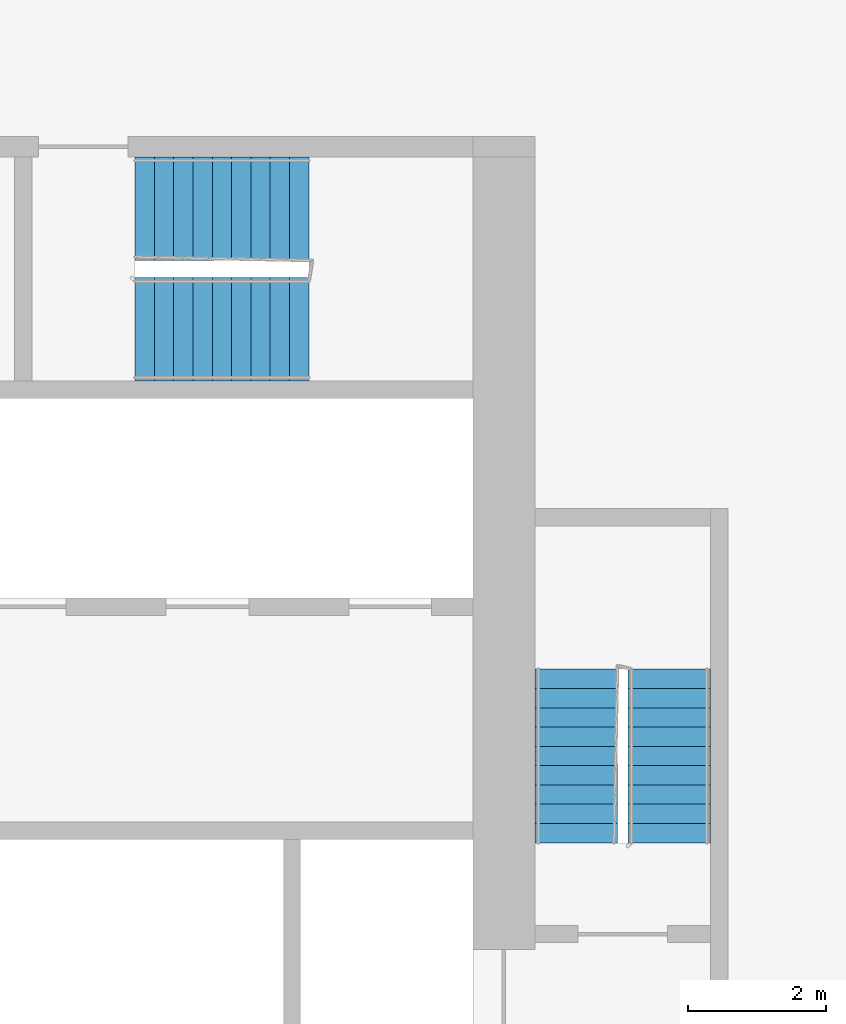
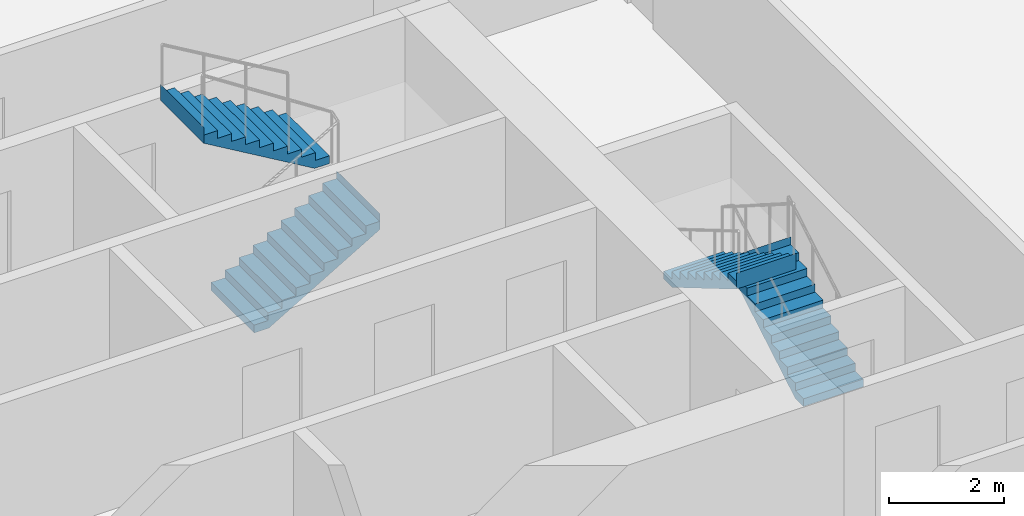
# One storey, part 11 of 13: 4 stair flights, 2 elements without a shape of their own.
"""IFC4 building model written with IfcOpenShell, lengths in metres."""

from ifc_helpers import new_model, si_unit, direction, frame, origin, place, context, subcontext, project, spatial, faceted_brep, material, type_object, element, aggregate, save


model = new_model("IFC4")

# Units and contexts
model_context = context("Model", 3, precision=1e-05, world=origin(), true_north=direction((0.0, 1.0)))
body_context = subcontext(model_context, "Body", "Model", "MODEL_VIEW")
ifc_project = project(units=[si_unit("LENGTHUNIT", "METRE"), si_unit("AREAUNIT", "SQUARE_METRE"), si_unit("VOLUMEUNIT", "CUBIC_METRE"), si_unit("PLANEANGLEUNIT", "RADIAN"), si_unit("MASSUNIT", "GRAM", prefix="KILO")], contexts=[model_context])

# Site, building, storey
site_placement = place(None, origin())
site = spatial("IfcSite", under=ifc_project, at=site_placement, CompositionType="ELEMENT")
building_placement = place(site_placement, origin())
building = spatial("IfcBuilding", under=site, at=building_placement, Name="Kajstack Hotel Tower", CompositionType="ELEMENT")
storey_placement = place(building_placement, frame((0.0, 0.0, 130.60009765625)))
storey = spatial("IfcBuildingStorey", under=building, at=storey_placement, Name="L29", CompositionType="ELEMENT", Elevation=130.60009765625)

# Stair, stair flights
ifc_material = material(Name="Concrete C40/50", Category="concrete")
stair_type_1 = type_object("IfcStairType", Name="Exit stair 1200", PredefinedType="HALF_TURN_STAIR", material=ifc_material)
stair_1_placement = place(storey_placement, origin())
stair_1 = element("IfcStair", 1, at=stair_1_placement, inside=storey, type_object=stair_type_1, Name="L29 stair E1", PredefinedType="HALF_TURN_STAIR")
stair_flight_type_1 = type_object("IfcStairFlightType", Name="Exit stair flight 1200", PredefinedType="STRAIGHT", material=ifc_material)
stair_flight_1_placement = place(storey_placement, frame((33.449951171875, 5.25, 0.0), z_axis=(0.0, 0.0, 1.0), x_axis=(0.0, 1.0, 0.0)))
stair_flight_1 = element("IfcStairFlight", 2, at=stair_flight_1_placement, type_object=stair_flight_type_1, Name="E1 flight 1", NumberOfRisers=10, NumberOfTreads=9, PredefinedType="STRAIGHT", RiserHeight=0.165, TreadLength=0.28, context=body_context, shape_type="Brep", body=[
    faceted_brep([(0.295654296875, -0.60009765625, 0.0), (2.5205078125, -0.60009765625, 1.31103515625), (2.5205078125, -0.60009765625, 1.64990234375), (2.52001953125, -0.60009765625, 1.64990234375), (2.52001953125, -0.60009765625, 1.485107421875), (2.239990234375, -0.60009765625, 1.485107421875), (2.239990234375, -0.60009765625, 1.320068359375), (1.9599609375, -0.60009765625, 1.320068359375), (1.9599609375, -0.60009765625, 1.155029296875), (1.679931640625, -0.60009765625, 1.155029296875), (1.679931640625, -0.60009765625, 0.989990234375), (1.39990234375, -0.60009765625, 0.989990234375), (1.39990234375, -0.60009765625, 0.824951171875), (1.1201171875, -0.60009765625, 0.824951171875), (1.1201171875, -0.60009765625, 0.659912109375), (0.840087890625, -0.60009765625, 0.659912109375), (0.840087890625, -0.60009765625, 0.4951171875), (0.56005859375, -0.60009765625, 0.4951171875), (0.56005859375, -0.60009765625, 0.330078125), (0.280029296875, -0.60009765625, 0.330078125), (0.280029296875, -0.60009765625, 0.1650390625), (-0.00048828125, -0.60009765625, 0.1650390625), (-0.00048828125, -0.60009765625, 0.0), (-0.00048828125, 0.60009765625, 0.0), (-0.00048828125, 0.60009765625, 0.1650390625), (0.280029296875, 0.60009765625, 0.1650390625), (0.280029296875, 0.60009765625, 0.330078125), (0.56005859375, 0.60009765625, 0.330078125), (0.56005859375, 0.60009765625, 0.4951171875), (0.840087890625, 0.60009765625, 0.4951171875), (0.840087890625, 0.60009765625, 0.659912109375), (1.1201171875, 0.60009765625, 0.659912109375), (1.1201171875, 0.60009765625, 0.824951171875), (1.39990234375, 0.60009765625, 0.824951171875), (1.39990234375, 0.60009765625, 0.989990234375), (1.679931640625, 0.60009765625, 0.989990234375), (1.679931640625, 0.60009765625, 1.155029296875), (1.9599609375, 0.60009765625, 1.155029296875), (1.9599609375, 0.60009765625, 1.320068359375), (2.239990234375, 0.60009765625, 1.320068359375), (2.239990234375, 0.60009765625, 1.485107421875), (2.52001953125, 0.60009765625, 1.485107421875), (2.52001953125, 0.60009765625, 1.64990234375), (2.5205078125, 0.60009765625, 1.64990234375), (2.5205078125, 0.60009765625, 1.31103515625), (0.295654296875, 0.60009765625, 0.0), (-0.00048828125, -0.300048828125, 0.1650390625), (-0.00048828125, 0.0, 0.1650390625), (-0.00048828125, 0.300048828125, 0.1650390625), (-0.00048828125, 0.300048828125, 0.0), (-0.00048828125, 0.0, 0.0), (-0.00048828125, -0.300048828125, 0.0), (0.280029296875, -0.300048828125, 0.1650390625), (0.280029296875, 0.0, 0.1650390625), (0.280029296875, 0.300048828125, 0.1650390625), (0.280029296875, -0.300048828125, 0.330078125), (0.280029296875, 0.0, 0.330078125), (0.280029296875, 0.300048828125, 0.330078125), (0.56005859375, -0.300048828125, 0.330078125), (0.56005859375, 0.0, 0.330078125), (0.56005859375, 0.300048828125, 0.330078125), (0.56005859375, -0.300048828125, 0.4951171875), (0.56005859375, 0.0, 0.4951171875), (0.56005859375, 0.300048828125, 0.4951171875), (0.840087890625, -0.300048828125, 0.4951171875), (0.840087890625, 0.0, 0.4951171875), (0.840087890625, 0.300048828125, 0.4951171875), (0.840087890625, -0.300048828125, 0.659912109375), (0.840087890625, 0.0, 0.659912109375), (0.840087890625, 0.300048828125, 0.659912109375), (1.1201171875, -0.300048828125, 0.659912109375), (1.1201171875, 0.0, 0.659912109375), (1.1201171875, 0.300048828125, 0.659912109375), (1.1201171875, -0.300048828125, 0.824951171875), (1.1201171875, 0.0, 0.824951171875), (1.1201171875, 0.300048828125, 0.824951171875), (1.39990234375, -0.300048828125, 0.824951171875), (1.39990234375, 0.0, 0.824951171875), (1.39990234375, 0.300048828125, 0.824951171875), (1.39990234375, -0.300048828125, 0.989990234375), (1.39990234375, 0.0, 0.989990234375), (1.39990234375, 0.300048828125, 0.989990234375), (1.679931640625, -0.300048828125, 0.989990234375), (1.679931640625, 0.0, 0.989990234375), (1.679931640625, 0.300048828125, 0.989990234375), (1.679931640625, -0.300048828125, 1.155029296875), (1.679931640625, 0.0, 1.155029296875), (1.679931640625, 0.300048828125, 1.155029296875), (1.9599609375, -0.300048828125, 1.155029296875), (1.9599609375, 0.0, 1.155029296875), (1.9599609375, 0.300048828125, 1.155029296875), (1.9599609375, -0.300048828125, 1.320068359375), (1.9599609375, 0.0, 1.320068359375), (1.9599609375, 0.300048828125, 1.320068359375), (2.239990234375, -0.300048828125, 1.320068359375), (2.239990234375, 0.0, 1.320068359375), (2.239990234375, 0.300048828125, 1.320068359375), (2.239990234375, -0.300048828125, 1.485107421875), (2.239990234375, 0.0, 1.485107421875), (2.239990234375, 0.300048828125, 1.485107421875), (2.52001953125, -0.300048828125, 1.485107421875), (2.52001953125, 0.0, 1.485107421875), (2.52001953125, 0.300048828125, 1.485107421875), (2.52001953125, -0.300048828125, 1.64990234375), (2.52001953125, 0.0, 1.64990234375), (2.52001953125, 0.300048828125, 1.64990234375), (2.5205078125, -0.300048828125, 1.64990234375), (2.5205078125, 0.0, 1.64990234375), (2.5205078125, 0.300048828125, 1.64990234375), (2.5205078125, -0.300048828125, 1.31103515625), (2.5205078125, 0.0, 1.31103515625), (2.5205078125, 0.300048828125, 1.31103515625), (0.295654296875, -0.300048828125, 0.0), (0.295654296875, 0.0, 0.0), (0.295654296875, 0.300048828125, 0.0)], [[[0, 1, 2, 3, 4, 5, 6, 7, 8, 9, 10, 11, 12, 13, 14, 15, 16, 17, 18, 19, 20, 21, 22]], [[23, 24, 25, 26, 27, 28, 29, 30, 31, 32, 33, 34, 35, 36, 37, 38, 39, 40, 41, 42, 43, 44, 45]], [[21, 46, 47, 48, 24, 23, 49, 50, 51, 22]], [[20, 52, 53, 54, 25, 24, 48, 47, 46, 21]], [[19, 55, 56, 57, 26, 25, 54, 53, 52, 20]], [[18, 58, 59, 60, 27, 26, 57, 56, 55, 19]], [[17, 61, 62, 63, 28, 27, 60, 59, 58, 18]], [[16, 64, 65, 66, 29, 28, 63, 62, 61, 17]], [[15, 67, 68, 69, 30, 29, 66, 65, 64, 16]], [[14, 70, 71, 72, 31, 30, 69, 68, 67, 15]], [[13, 73, 74, 75, 32, 31, 72, 71, 70, 14]], [[12, 76, 77, 78, 33, 32, 75, 74, 73, 13]], [[11, 79, 80, 81, 34, 33, 78, 77, 76, 12]], [[10, 82, 83, 84, 35, 34, 81, 80, 79, 11]], [[9, 85, 86, 87, 36, 35, 84, 83, 82, 10]], [[8, 88, 89, 90, 37, 36, 87, 86, 85, 9]], [[7, 91, 92, 93, 38, 37, 90, 89, 88, 8]], [[6, 94, 95, 96, 39, 38, 93, 92, 91, 7]], [[5, 97, 98, 99, 40, 39, 96, 95, 94, 6]], [[4, 100, 101, 102, 41, 40, 99, 98, 97, 5]], [[3, 103, 104, 105, 42, 41, 102, 101, 100, 4]], [[2, 106, 107, 108, 43, 42, 105, 104, 103, 3]], [[1, 109, 110, 111, 44, 43, 108, 107, 106, 2]], [[0, 112, 113, 114, 45, 44, 111, 110, 109, 1]], [[22, 51, 50, 49, 23, 45, 114, 113, 112, 0]]]),
])
stair_flight_2_placement = place(storey_placement, frame((32.10009765625, 7.77001953125, 1.64990234375), z_axis=(0.0, 0.0, 1.0), x_axis=(0.0, -1.0, 0.0)))
stair_flight_2 = element("IfcStairFlight", 3, at=stair_flight_2_placement, type_object=stair_flight_type_1, Name="E1 flight 2", NumberOfRisers=10, NumberOfTreads=9, PredefinedType="STRAIGHT", RiserHeight=0.165, TreadLength=0.28, context=body_context, shape_type="Brep", body=[
    faceted_brep([(0.295654296875, -0.60009765625, 0.0), (2.5205078125, -0.60009765625, 1.31103515625), (2.5205078125, -0.60009765625, 1.64990234375), (2.52001953125, -0.60009765625, 1.64990234375), (2.52001953125, -0.60009765625, 1.485107421875), (2.239990234375, -0.60009765625, 1.485107421875), (2.239990234375, -0.60009765625, 1.320068359375), (1.9599609375, -0.60009765625, 1.320068359375), (1.9599609375, -0.60009765625, 1.155029296875), (1.679931640625, -0.60009765625, 1.155029296875), (1.679931640625, -0.60009765625, 0.989990234375), (1.39990234375, -0.60009765625, 0.989990234375), (1.39990234375, -0.60009765625, 0.824951171875), (1.1201171875, -0.60009765625, 0.824951171875), (1.1201171875, -0.60009765625, 0.659912109375), (0.840087890625, -0.60009765625, 0.659912109375), (0.840087890625, -0.60009765625, 0.4951171875), (0.56005859375, -0.60009765625, 0.4951171875), (0.56005859375, -0.60009765625, 0.330078125), (0.280029296875, -0.60009765625, 0.330078125), (0.280029296875, -0.60009765625, 0.1650390625), (-0.00048828125, -0.60009765625, 0.1650390625), (-0.00048828125, -0.60009765625, 0.0), (-0.00048828125, 0.60009765625, 0.0), (-0.00048828125, 0.60009765625, 0.1650390625), (0.280029296875, 0.60009765625, 0.1650390625), (0.280029296875, 0.60009765625, 0.330078125), (0.56005859375, 0.60009765625, 0.330078125), (0.56005859375, 0.60009765625, 0.4951171875), (0.840087890625, 0.60009765625, 0.4951171875), (0.840087890625, 0.60009765625, 0.659912109375), (1.1201171875, 0.60009765625, 0.659912109375), (1.1201171875, 0.60009765625, 0.824951171875), (1.39990234375, 0.60009765625, 0.824951171875), (1.39990234375, 0.60009765625, 0.989990234375), (1.679931640625, 0.60009765625, 0.989990234375), (1.679931640625, 0.60009765625, 1.155029296875), (1.9599609375, 0.60009765625, 1.155029296875), (1.9599609375, 0.60009765625, 1.320068359375), (2.239990234375, 0.60009765625, 1.320068359375), (2.239990234375, 0.60009765625, 1.485107421875), (2.52001953125, 0.60009765625, 1.485107421875), (2.52001953125, 0.60009765625, 1.64990234375), (2.5205078125, 0.60009765625, 1.64990234375), (2.5205078125, 0.60009765625, 1.31103515625), (0.295654296875, 0.60009765625, 0.0), (-0.00048828125, -0.300048828125, 0.1650390625), (-0.00048828125, 0.0, 0.1650390625), (-0.00048828125, 0.300048828125, 0.1650390625), (-0.00048828125, 0.300048828125, 0.0), (-0.00048828125, 0.0, 0.0), (-0.00048828125, -0.300048828125, 0.0), (0.280029296875, -0.300048828125, 0.1650390625), (0.280029296875, 0.0, 0.1650390625), (0.280029296875, 0.300048828125, 0.1650390625), (0.280029296875, -0.300048828125, 0.330078125), (0.280029296875, 0.0, 0.330078125), (0.280029296875, 0.300048828125, 0.330078125), (0.56005859375, -0.300048828125, 0.330078125), (0.56005859375, 0.0, 0.330078125), (0.56005859375, 0.300048828125, 0.330078125), (0.56005859375, -0.300048828125, 0.4951171875), (0.56005859375, 0.0, 0.4951171875), (0.56005859375, 0.300048828125, 0.4951171875), (0.840087890625, -0.300048828125, 0.4951171875), (0.840087890625, 0.0, 0.4951171875), (0.840087890625, 0.300048828125, 0.4951171875), (0.840087890625, -0.300048828125, 0.659912109375), (0.840087890625, 0.0, 0.659912109375), (0.840087890625, 0.300048828125, 0.659912109375), (1.1201171875, -0.300048828125, 0.659912109375), (1.1201171875, 0.0, 0.659912109375), (1.1201171875, 0.300048828125, 0.659912109375), (1.1201171875, -0.300048828125, 0.824951171875), (1.1201171875, 0.0, 0.824951171875), (1.1201171875, 0.300048828125, 0.824951171875), (1.39990234375, -0.300048828125, 0.824951171875), (1.39990234375, 0.0, 0.824951171875), (1.39990234375, 0.300048828125, 0.824951171875), (1.39990234375, -0.300048828125, 0.989990234375), (1.39990234375, 0.0, 0.989990234375), (1.39990234375, 0.300048828125, 0.989990234375), (1.679931640625, -0.300048828125, 0.989990234375), (1.679931640625, 0.0, 0.989990234375), (1.679931640625, 0.300048828125, 0.989990234375), (1.679931640625, -0.300048828125, 1.155029296875), (1.679931640625, 0.0, 1.155029296875), (1.679931640625, 0.300048828125, 1.155029296875), (1.9599609375, -0.300048828125, 1.155029296875), (1.9599609375, 0.0, 1.155029296875), (1.9599609375, 0.300048828125, 1.155029296875), (1.9599609375, -0.300048828125, 1.320068359375), (1.9599609375, 0.0, 1.320068359375), (1.9599609375, 0.300048828125, 1.320068359375), (2.239990234375, -0.300048828125, 1.320068359375), (2.239990234375, 0.0, 1.320068359375), (2.239990234375, 0.300048828125, 1.320068359375), (2.239990234375, -0.300048828125, 1.485107421875), (2.239990234375, 0.0, 1.485107421875), (2.239990234375, 0.300048828125, 1.485107421875), (2.52001953125, -0.300048828125, 1.485107421875), (2.52001953125, 0.0, 1.485107421875), (2.52001953125, 0.300048828125, 1.485107421875), (2.52001953125, -0.300048828125, 1.64990234375), (2.52001953125, 0.0, 1.64990234375), (2.52001953125, 0.300048828125, 1.64990234375), (2.5205078125, -0.300048828125, 1.64990234375), (2.5205078125, 0.0, 1.64990234375), (2.5205078125, 0.300048828125, 1.64990234375), (2.5205078125, -0.300048828125, 1.31103515625), (2.5205078125, 0.0, 1.31103515625), (2.5205078125, 0.300048828125, 1.31103515625), (0.295654296875, -0.300048828125, 0.0), (0.295654296875, 0.0, 0.0), (0.295654296875, 0.300048828125, 0.0)], [[[0, 1, 2, 3, 4, 5, 6, 7, 8, 9, 10, 11, 12, 13, 14, 15, 16, 17, 18, 19, 20, 21, 22]], [[23, 24, 25, 26, 27, 28, 29, 30, 31, 32, 33, 34, 35, 36, 37, 38, 39, 40, 41, 42, 43, 44, 45]], [[21, 46, 47, 48, 24, 23, 49, 50, 51, 22]], [[20, 52, 53, 54, 25, 24, 48, 47, 46, 21]], [[19, 55, 56, 57, 26, 25, 54, 53, 52, 20]], [[18, 58, 59, 60, 27, 26, 57, 56, 55, 19]], [[17, 61, 62, 63, 28, 27, 60, 59, 58, 18]], [[16, 64, 65, 66, 29, 28, 63, 62, 61, 17]], [[15, 67, 68, 69, 30, 29, 66, 65, 64, 16]], [[14, 70, 71, 72, 31, 30, 69, 68, 67, 15]], [[13, 73, 74, 75, 32, 31, 72, 71, 70, 14]], [[12, 76, 77, 78, 33, 32, 75, 74, 73, 13]], [[11, 79, 80, 81, 34, 33, 78, 77, 76, 12]], [[10, 82, 83, 84, 35, 34, 81, 80, 79, 11]], [[9, 85, 86, 87, 36, 35, 84, 83, 82, 10]], [[8, 88, 89, 90, 37, 36, 87, 86, 85, 9]], [[7, 91, 92, 93, 38, 37, 90, 89, 88, 8]], [[6, 94, 95, 96, 39, 38, 93, 92, 91, 7]], [[5, 97, 98, 99, 40, 39, 96, 95, 94, 6]], [[4, 100, 101, 102, 41, 40, 99, 98, 97, 5]], [[3, 103, 104, 105, 42, 41, 102, 101, 100, 4]], [[2, 106, 107, 108, 43, 42, 105, 104, 103, 3]], [[1, 109, 110, 111, 44, 43, 108, 107, 106, 2]], [[0, 112, 113, 114, 45, 44, 111, 110, 109, 1]], [[22, 51, 50, 49, 23, 45, 114, 113, 112, 0]]]),
])
aggregate(stair_1, [stair_flight_1, stair_flight_2])

stair_type_2 = type_object("IfcStairType", Name="Exit stair 1500", PredefinedType="HALF_TURN_STAIR", material=ifc_material)
stair_2_placement = place(storey_placement, origin())
stair_2 = element("IfcStair", 4, at=stair_2_placement, inside=storey, type_object=stair_type_2, Name="L29 stair E3", PredefinedType="HALF_TURN_STAIR")
stair_flight_type_2 = type_object("IfcStairFlightType", Name="Exit stair flight 1500", PredefinedType="STRAIGHT", material=ifc_material)
stair_flight_3_placement = place(storey_placement, frame((25.699951171875, 12.699951171875, 0.0), z_axis=(0.0, 0.0, 1.0), x_axis=(1.0, 0.0, 0.0)))
stair_flight_3 = element("IfcStairFlight", 5, at=stair_flight_3_placement, type_object=stair_flight_type_2, Name="E3 flight 1", NumberOfRisers=10, NumberOfTreads=9, PredefinedType="STRAIGHT", RiserHeight=0.165, TreadLength=0.28, context=body_context, shape_type="Brep", body=[
    faceted_brep([(0.295654296875, -0.75, 0.0), (2.5205078125, -0.75, 1.31103515625), (2.5205078125, -0.75, 1.64990234375), (2.52001953125, -0.75, 1.64990234375), (2.52001953125, -0.75, 1.485107421875), (2.239990234375, -0.75, 1.485107421875), (2.239990234375, -0.75, 1.320068359375), (1.9599609375, -0.75, 1.320068359375), (1.9599609375, -0.75, 1.155029296875), (1.679931640625, -0.75, 1.155029296875), (1.679931640625, -0.75, 0.989990234375), (1.39990234375, -0.75, 0.989990234375), (1.39990234375, -0.75, 0.824951171875), (1.1201171875, -0.75, 0.824951171875), (1.1201171875, -0.75, 0.659912109375), (0.840087890625, -0.75, 0.659912109375), (0.840087890625, -0.75, 0.4951171875), (0.56005859375, -0.75, 0.4951171875), (0.56005859375, -0.75, 0.330078125), (0.280029296875, -0.75, 0.330078125), (0.280029296875, -0.75, 0.1650390625), (-0.00048828125, -0.75, 0.1650390625), (-0.00048828125, -0.75, 0.0), (-0.00048828125, 0.75, 0.0), (-0.00048828125, 0.75, 0.1650390625), (0.280029296875, 0.75, 0.1650390625), (0.280029296875, 0.75, 0.330078125), (0.56005859375, 0.75, 0.330078125), (0.56005859375, 0.75, 0.4951171875), (0.840087890625, 0.75, 0.4951171875), (0.840087890625, 0.75, 0.659912109375), (1.1201171875, 0.75, 0.659912109375), (1.1201171875, 0.75, 0.824951171875), (1.39990234375, 0.75, 0.824951171875), (1.39990234375, 0.75, 0.989990234375), (1.679931640625, 0.75, 0.989990234375), (1.679931640625, 0.75, 1.155029296875), (1.9599609375, 0.75, 1.155029296875), (1.9599609375, 0.75, 1.320068359375), (2.239990234375, 0.75, 1.320068359375), (2.239990234375, 0.75, 1.485107421875), (2.52001953125, 0.75, 1.485107421875), (2.52001953125, 0.75, 1.64990234375), (2.5205078125, 0.75, 1.64990234375), (2.5205078125, 0.75, 1.31103515625), (0.295654296875, 0.75, 0.0), (-0.00048828125, -0.375, 0.1650390625), (-0.00048828125, 0.0, 0.1650390625), (-0.00048828125, 0.375, 0.1650390625), (-0.00048828125, 0.375, 0.0), (-0.00048828125, 0.0, 0.0), (-0.00048828125, -0.375, 0.0), (0.280029296875, -0.375, 0.1650390625), (0.280029296875, 0.0, 0.1650390625), (0.280029296875, 0.375, 0.1650390625), (0.280029296875, -0.375, 0.330078125), (0.280029296875, 0.0, 0.330078125), (0.280029296875, 0.375, 0.330078125), (0.56005859375, -0.375, 0.330078125), (0.56005859375, 0.0, 0.330078125), (0.56005859375, 0.375, 0.330078125), (0.56005859375, -0.375, 0.4951171875), (0.56005859375, 0.0, 0.4951171875), (0.56005859375, 0.375, 0.4951171875), (0.840087890625, -0.375, 0.4951171875), (0.840087890625, 0.0, 0.4951171875), (0.840087890625, 0.375, 0.4951171875), (0.840087890625, -0.375, 0.659912109375), (0.840087890625, 0.0, 0.659912109375), (0.840087890625, 0.375, 0.659912109375), (1.1201171875, -0.375, 0.659912109375), (1.1201171875, 0.0, 0.659912109375), (1.1201171875, 0.375, 0.659912109375), (1.1201171875, -0.375, 0.824951171875), (1.1201171875, 0.0, 0.824951171875), (1.1201171875, 0.375, 0.824951171875), (1.39990234375, -0.375, 0.824951171875), (1.39990234375, 0.0, 0.824951171875), (1.39990234375, 0.375, 0.824951171875), (1.39990234375, -0.375, 0.989990234375), (1.39990234375, 0.0, 0.989990234375), (1.39990234375, 0.375, 0.989990234375), (1.679931640625, -0.375, 0.989990234375), (1.679931640625, 0.0, 0.989990234375), (1.679931640625, 0.375, 0.989990234375), (1.679931640625, -0.375, 1.155029296875), (1.679931640625, 0.0, 1.155029296875), (1.679931640625, 0.375, 1.155029296875), (1.9599609375, -0.375, 1.155029296875), (1.9599609375, 0.0, 1.155029296875), (1.9599609375, 0.375, 1.155029296875), (1.9599609375, -0.375, 1.320068359375), (1.9599609375, 0.0, 1.320068359375), (1.9599609375, 0.375, 1.320068359375), (2.239990234375, -0.375, 1.320068359375), (2.239990234375, 0.0, 1.320068359375), (2.239990234375, 0.375, 1.320068359375), (2.239990234375, -0.375, 1.485107421875), (2.239990234375, 0.0, 1.485107421875), (2.239990234375, 0.375, 1.485107421875), (2.52001953125, -0.375, 1.485107421875), (2.52001953125, 0.0, 1.485107421875), (2.52001953125, 0.375, 1.485107421875), (2.52001953125, -0.375, 1.64990234375), (2.52001953125, 0.0, 1.64990234375), (2.52001953125, 0.375, 1.64990234375), (2.5205078125, -0.375, 1.64990234375), (2.5205078125, 0.0, 1.64990234375), (2.5205078125, 0.375, 1.64990234375), (2.5205078125, -0.375, 1.31103515625), (2.5205078125, 0.0, 1.31103515625), (2.5205078125, 0.375, 1.31103515625), (0.295654296875, -0.375, 0.0), (0.295654296875, 0.0, 0.0), (0.295654296875, 0.375, 0.0)], [[[0, 1, 2, 3, 4, 5, 6, 7, 8, 9, 10, 11, 12, 13, 14, 15, 16, 17, 18, 19, 20, 21, 22]], [[23, 24, 25, 26, 27, 28, 29, 30, 31, 32, 33, 34, 35, 36, 37, 38, 39, 40, 41, 42, 43, 44, 45]], [[21, 46, 47, 48, 24, 23, 49, 50, 51, 22]], [[20, 52, 53, 54, 25, 24, 48, 47, 46, 21]], [[19, 55, 56, 57, 26, 25, 54, 53, 52, 20]], [[18, 58, 59, 60, 27, 26, 57, 56, 55, 19]], [[17, 61, 62, 63, 28, 27, 60, 59, 58, 18]], [[16, 64, 65, 66, 29, 28, 63, 62, 61, 17]], [[15, 67, 68, 69, 30, 29, 66, 65, 64, 16]], [[14, 70, 71, 72, 31, 30, 69, 68, 67, 15]], [[13, 73, 74, 75, 32, 31, 72, 71, 70, 14]], [[12, 76, 77, 78, 33, 32, 75, 74, 73, 13]], [[11, 79, 80, 81, 34, 33, 78, 77, 76, 12]], [[10, 82, 83, 84, 35, 34, 81, 80, 79, 11]], [[9, 85, 86, 87, 36, 35, 84, 83, 82, 10]], [[8, 88, 89, 90, 37, 36, 87, 86, 85, 9]], [[7, 91, 92, 93, 38, 37, 90, 89, 88, 8]], [[6, 94, 95, 96, 39, 38, 93, 92, 91, 7]], [[5, 97, 98, 99, 40, 39, 96, 95, 94, 6]], [[4, 100, 101, 102, 41, 40, 99, 98, 97, 5]], [[3, 103, 104, 105, 42, 41, 102, 101, 100, 4]], [[2, 106, 107, 108, 43, 42, 105, 104, 103, 3]], [[1, 109, 110, 111, 44, 43, 108, 107, 106, 2]], [[0, 112, 113, 114, 45, 44, 111, 110, 109, 1]], [[22, 51, 50, 49, 23, 45, 114, 113, 112, 0]]]),
])
stair_flight_4_placement = place(storey_placement, frame((28.219970703125, 14.449951171875, 1.64990234375), z_axis=(0.0, 0.0, 1.0), x_axis=(-1.0, 0.0, 0.0)))
stair_flight_4 = element("IfcStairFlight", 6, at=stair_flight_4_placement, type_object=stair_flight_type_2, Name="E3 flight 2", NumberOfRisers=10, NumberOfTreads=9, PredefinedType="STRAIGHT", RiserHeight=0.165, TreadLength=0.28, context=body_context, shape_type="Brep", body=[
    faceted_brep([(0.295654296875, -0.75, 0.0), (2.5205078125, -0.75, 1.31103515625), (2.5205078125, -0.75, 1.64990234375), (2.52001953125, -0.75, 1.64990234375), (2.52001953125, -0.75, 1.485107421875), (2.239990234375, -0.75, 1.485107421875), (2.239990234375, -0.75, 1.320068359375), (1.9599609375, -0.75, 1.320068359375), (1.9599609375, -0.75, 1.155029296875), (1.679931640625, -0.75, 1.155029296875), (1.679931640625, -0.75, 0.989990234375), (1.39990234375, -0.75, 0.989990234375), (1.39990234375, -0.75, 0.824951171875), (1.1201171875, -0.75, 0.824951171875), (1.1201171875, -0.75, 0.659912109375), (0.840087890625, -0.75, 0.659912109375), (0.840087890625, -0.75, 0.4951171875), (0.56005859375, -0.75, 0.4951171875), (0.56005859375, -0.75, 0.330078125), (0.280029296875, -0.75, 0.330078125), (0.280029296875, -0.75, 0.1650390625), (-0.00048828125, -0.75, 0.1650390625), (-0.00048828125, -0.75, 0.0), (-0.00048828125, 0.75, 0.0), (-0.00048828125, 0.75, 0.1650390625), (0.280029296875, 0.75, 0.1650390625), (0.280029296875, 0.75, 0.330078125), (0.56005859375, 0.75, 0.330078125), (0.56005859375, 0.75, 0.4951171875), (0.840087890625, 0.75, 0.4951171875), (0.840087890625, 0.75, 0.659912109375), (1.1201171875, 0.75, 0.659912109375), (1.1201171875, 0.75, 0.824951171875), (1.39990234375, 0.75, 0.824951171875), (1.39990234375, 0.75, 0.989990234375), (1.679931640625, 0.75, 0.989990234375), (1.679931640625, 0.75, 1.155029296875), (1.9599609375, 0.75, 1.155029296875), (1.9599609375, 0.75, 1.320068359375), (2.239990234375, 0.75, 1.320068359375), (2.239990234375, 0.75, 1.485107421875), (2.52001953125, 0.75, 1.485107421875), (2.52001953125, 0.75, 1.64990234375), (2.5205078125, 0.75, 1.64990234375), (2.5205078125, 0.75, 1.31103515625), (0.295654296875, 0.75, 0.0), (-0.00048828125, -0.375, 0.1650390625), (-0.00048828125, 0.0, 0.1650390625), (-0.00048828125, 0.375, 0.1650390625), (-0.00048828125, 0.375, 0.0), (-0.00048828125, 0.0, 0.0), (-0.00048828125, -0.375, 0.0), (0.280029296875, -0.375, 0.1650390625), (0.280029296875, 0.0, 0.1650390625), (0.280029296875, 0.375, 0.1650390625), (0.280029296875, -0.375, 0.330078125), (0.280029296875, 0.0, 0.330078125), (0.280029296875, 0.375, 0.330078125), (0.56005859375, -0.375, 0.330078125), (0.56005859375, 0.0, 0.330078125), (0.56005859375, 0.375, 0.330078125), (0.56005859375, -0.375, 0.4951171875), (0.56005859375, 0.0, 0.4951171875), (0.56005859375, 0.375, 0.4951171875), (0.840087890625, -0.375, 0.4951171875), (0.840087890625, 0.0, 0.4951171875), (0.840087890625, 0.375, 0.4951171875), (0.840087890625, -0.375, 0.659912109375), (0.840087890625, 0.0, 0.659912109375), (0.840087890625, 0.375, 0.659912109375), (1.1201171875, -0.375, 0.659912109375), (1.1201171875, 0.0, 0.659912109375), (1.1201171875, 0.375, 0.659912109375), (1.1201171875, -0.375, 0.824951171875), (1.1201171875, 0.0, 0.824951171875), (1.1201171875, 0.375, 0.824951171875), (1.39990234375, -0.375, 0.824951171875), (1.39990234375, 0.0, 0.824951171875), (1.39990234375, 0.375, 0.824951171875), (1.39990234375, -0.375, 0.989990234375), (1.39990234375, 0.0, 0.989990234375), (1.39990234375, 0.375, 0.989990234375), (1.679931640625, -0.375, 0.989990234375), (1.679931640625, 0.0, 0.989990234375), (1.679931640625, 0.375, 0.989990234375), (1.679931640625, -0.375, 1.155029296875), (1.679931640625, 0.0, 1.155029296875), (1.679931640625, 0.375, 1.155029296875), (1.9599609375, -0.375, 1.155029296875), (1.9599609375, 0.0, 1.155029296875), (1.9599609375, 0.375, 1.155029296875), (1.9599609375, -0.375, 1.320068359375), (1.9599609375, 0.0, 1.320068359375), (1.9599609375, 0.375, 1.320068359375), (2.239990234375, -0.375, 1.320068359375), (2.239990234375, 0.0, 1.320068359375), (2.239990234375, 0.375, 1.320068359375), (2.239990234375, -0.375, 1.485107421875), (2.239990234375, 0.0, 1.485107421875), (2.239990234375, 0.375, 1.485107421875), (2.52001953125, -0.375, 1.485107421875), (2.52001953125, 0.0, 1.485107421875), (2.52001953125, 0.375, 1.485107421875), (2.52001953125, -0.375, 1.64990234375), (2.52001953125, 0.0, 1.64990234375), (2.52001953125, 0.375, 1.64990234375), (2.5205078125, -0.375, 1.64990234375), (2.5205078125, 0.0, 1.64990234375), (2.5205078125, 0.375, 1.64990234375), (2.5205078125, -0.375, 1.31103515625), (2.5205078125, 0.0, 1.31103515625), (2.5205078125, 0.375, 1.31103515625), (0.295654296875, -0.375, 0.0), (0.295654296875, 0.0, 0.0), (0.295654296875, 0.375, 0.0)], [[[0, 1, 2, 3, 4, 5, 6, 7, 8, 9, 10, 11, 12, 13, 14, 15, 16, 17, 18, 19, 20, 21, 22]], [[23, 24, 25, 26, 27, 28, 29, 30, 31, 32, 33, 34, 35, 36, 37, 38, 39, 40, 41, 42, 43, 44, 45]], [[21, 46, 47, 48, 24, 23, 49, 50, 51, 22]], [[20, 52, 53, 54, 25, 24, 48, 47, 46, 21]], [[19, 55, 56, 57, 26, 25, 54, 53, 52, 20]], [[18, 58, 59, 60, 27, 26, 57, 56, 55, 19]], [[17, 61, 62, 63, 28, 27, 60, 59, 58, 18]], [[16, 64, 65, 66, 29, 28, 63, 62, 61, 17]], [[15, 67, 68, 69, 30, 29, 66, 65, 64, 16]], [[14, 70, 71, 72, 31, 30, 69, 68, 67, 15]], [[13, 73, 74, 75, 32, 31, 72, 71, 70, 14]], [[12, 76, 77, 78, 33, 32, 75, 74, 73, 13]], [[11, 79, 80, 81, 34, 33, 78, 77, 76, 12]], [[10, 82, 83, 84, 35, 34, 81, 80, 79, 11]], [[9, 85, 86, 87, 36, 35, 84, 83, 82, 10]], [[8, 88, 89, 90, 37, 36, 87, 86, 85, 9]], [[7, 91, 92, 93, 38, 37, 90, 89, 88, 8]], [[6, 94, 95, 96, 39, 38, 93, 92, 91, 7]], [[5, 97, 98, 99, 40, 39, 96, 95, 94, 6]], [[4, 100, 101, 102, 41, 40, 99, 98, 97, 5]], [[3, 103, 104, 105, 42, 41, 102, 101, 100, 4]], [[2, 106, 107, 108, 43, 42, 105, 104, 103, 3]], [[1, 109, 110, 111, 44, 43, 108, 107, 106, 2]], [[0, 112, 113, 114, 45, 44, 111, 110, 109, 1]], [[22, 51, 50, 49, 23, 45, 114, 113, 112, 0]]]),
])
aggregate(stair_2, [stair_flight_3, stair_flight_4])

save(model, "model.ifc")
